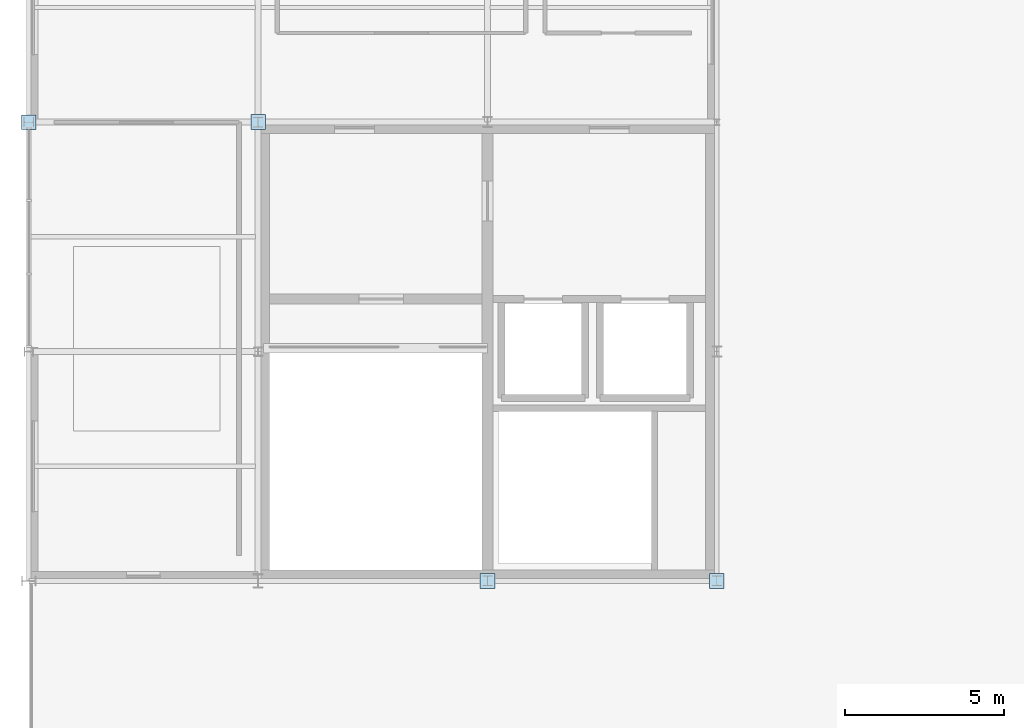
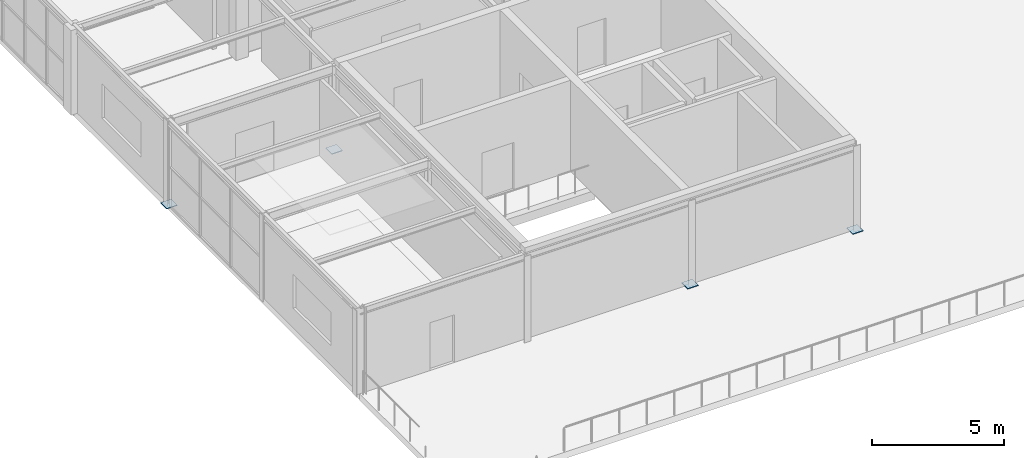
# One storey, part 19 of 30: 4 plates.
"""IFC4 building model written with IfcOpenShell, lengths in metres."""

from ifc_helpers import new_model, si_unit, direction, frame, origin, origin_2d, place, context, subcontext, project, spatial, rectangle, extrude, material, layer, layer_set, type_object, element, save


model = new_model("IFC4")

# Units and contexts
model_context = context("Model", 3, precision=1e-05, world=origin(), true_north=direction((0.0, 1.0)))
body_context = subcontext(model_context, "Body", "Model", "MODEL_VIEW")
ifc_project = project(units=[si_unit("LENGTHUNIT", "METRE"), si_unit("AREAUNIT", "SQUARE_METRE"), si_unit("VOLUMEUNIT", "CUBIC_METRE"), si_unit("PLANEANGLEUNIT", "RADIAN"), si_unit("MASSUNIT", "GRAM", prefix="KILO")], contexts=[model_context])

# Site, building, storey
site_placement = place(None, origin())
site = spatial("IfcSite", under=ifc_project, at=site_placement, CompositionType="ELEMENT")
building_placement = place(site_placement, origin())
building = spatial("IfcBuilding", under=site, at=building_placement, Name="Leyfeld Transit Interchange", CompositionType="ELEMENT")
storey_placement = place(building_placement, frame((0.0, 0.0, 13.800048828125)))
storey = spatial("IfcBuildingStorey", under=building, at=storey_placement, Name="L03", CompositionType="ELEMENT", Elevation=13.800048828125)

# Plates
ifc_material = material(Name="Steel S355J2", Category="steel")
ifc_layer = layer(ifc_material, 0.028076171875, Name="Steel S355J2")
ifc_layer_set = layer_set([ifc_layer], Name="Steel S355J2")
plate_type = type_object("IfcPlateType", Name="PLT-BASE-28", PredefinedType="USERDEFINED", material=ifc_layer_set)
for number, where, z_axis, x_axis, name in (
    (1, (0.0, 86.39990234375, 0.0), (0.0, 0.0, 1.0), (0.0, 1.0, 0.0), "Column Baseplate 0056"),
    (2, (7.199951171875, 86.39990234375, 0.0), (0.0, 0.0, 1.0), (1.0, 0.0, 0.0), "Column Baseplate 0132"),
    (3, (14.39990234375, 72.0, 0.0), (0.0, 0.0, 1.0), (1.0, 0.0, 0.0), "Column Baseplate 0206"),
    (4, (21.60009765625, 72.0, 0.0), (0.0, 0.0, 1.0), (1.0, 0.0, 0.0), "Column Baseplate 0274"),
):
    element("IfcPlate", number, at=place(storey_placement, frame(where, z_axis=z_axis, x_axis=x_axis)), inside=storey, type_object=plate_type, Name=name, ObjectType="BASE_PLATE", PredefinedType="USERDEFINED", context=body_context, shape_type="SweptSolid", body=[
        extrude(rectangle(XDim=0.4599609375, YDim=0.469970703125, at=origin_2d()), origin(), (0.0, 0.0, 1.0), 0.028076171875),
    ])

save(model, "model.ifc")
